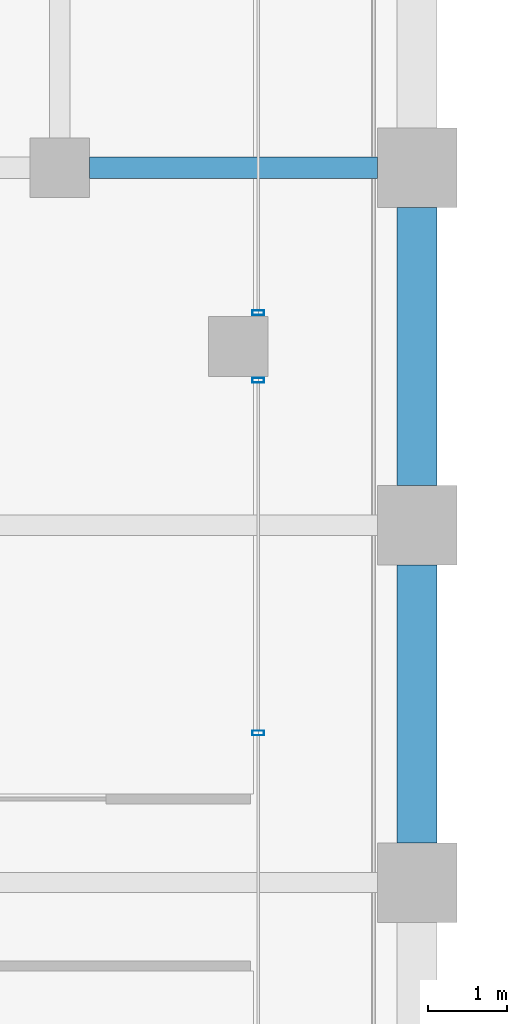
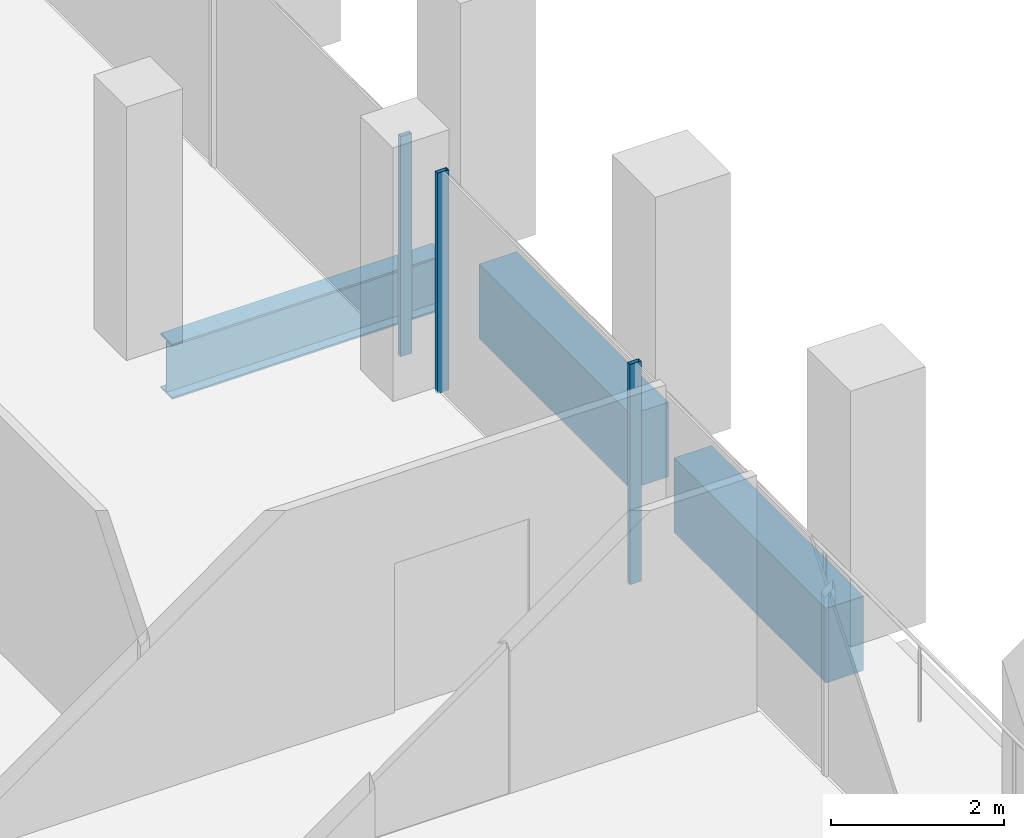
# One storey, part 19 of 45: 3 beams, 3 members, 2 elements without a shape of their own.
"""IFC4 building model written with IfcOpenShell, lengths in metres."""

from ifc_helpers import new_model, si_unit, direction, frame, origin, origin_2d, place, context, subcontext, project, spatial, rectangle, hollow_rectangle, i_section, extrude, material, material_profile, profile_set, type_object, element, aggregate, save


model = new_model("IFC4")

# Units and contexts
model_context = context("Model", 3, precision=1e-05, world=origin(), true_north=direction((0.0, 1.0)))
body_context = subcontext(model_context, "Body", "Model", "MODEL_VIEW")
ifc_project = project(units=[si_unit("LENGTHUNIT", "METRE"), si_unit("AREAUNIT", "SQUARE_METRE"), si_unit("VOLUMEUNIT", "CUBIC_METRE"), si_unit("PLANEANGLEUNIT", "RADIAN"), si_unit("MASSUNIT", "GRAM", prefix="KILO")], contexts=[model_context])

# Site, building, storey
site_placement = place(None, origin())
site = spatial("IfcSite", under=ifc_project, at=site_placement, CompositionType="ELEMENT")
building_placement = place(site_placement, origin())
building = spatial("IfcBuilding", under=site, at=building_placement, Name="Altepetl Exchange Towers", CompositionType="ELEMENT")
storey_placement = place(building_placement, frame((0.0, 0.0, 110.0)))
storey = spatial("IfcBuildingStorey", under=building, at=storey_placement, Name="L27", CompositionType="ELEMENT", Elevation=110.0)

# Beam
ifc_material_1 = material(Name="Steel S355", Category="steel")
ifc_material_profile_1 = material_profile(ifc_material_1, i_section(OverallWidth=0.26806640625, OverallDepth=0.77392578125, WebThickness=0.015380859375, FlangeThickness=0.025390625, at=origin_2d()), Name="W30X132")
ifc_profile_set_1 = profile_set([ifc_material_profile_1], Name="Steel S355")
beam_type_1 = type_object("IfcBeamType", Name="Girder W30X132", PredefinedType="BEAM", material=ifc_profile_set_1)
beam_placement = place(storey_placement, frame((67.875, 58.5, -0.537109375), z_axis=(1.0, 0.0, 0.0), x_axis=(0.0, 1.0, 0.0)))
element("IfcBeam", 1, at=beam_placement, inside=storey, type_object=beam_type_1, Name="gd:A:L27:002", PredefinedType="BEAM", context=body_context, shape_type="SweptSolid", body=[
    extrude(i_section(OverallWidth=0.26806640625, OverallDepth=0.77392578125, WebThickness=0.015380859375, FlangeThickness=0.025390625, at=origin_2d()), origin(), (0.0, 0.0, 1.0), 3.625),
])

# Curtain wall, members
ifc_material_2 = material(Name="Aluminium 6063-T6 glazing", Category="aluminium")
curtain_wall_type = type_object("IfcCurtainWallType", Name="Loggia glazing system", PredefinedType="NOTDEFINED", material=ifc_material_2)
curtain_wall_1_placement = place(storey_placement, origin())
curtain_wall_1 = element("IfcCurtainWall", 2, at=curtain_wall_1_placement, inside=storey, type_object=curtain_wall_type, Name="CW1 run", PredefinedType="NOTDEFINED")
ifc_material_3 = material(Name="Aluminium 6063-T6", Category="aluminium")
ifc_material_profile_2 = material_profile(ifc_material_3, hollow_rectangle(XDim=0.06005859375, YDim=0.14990234375, WallThickness=0.0029296875, at=origin_2d()), Name="Mullion 60x150 aluminium")
ifc_profile_set_2 = profile_set([ifc_material_profile_2], Name="Aluminium 6063-T6")
member_type = type_object("IfcMemberType", Name="Mullion 60x150 aluminium", PredefinedType="MULLION", material=ifc_profile_set_2)
member_1_placement = place(storey_placement, frame((70.0, 51.384033203125, 0.0), z_axis=(0.0, 0.0, 1.0), x_axis=(0.0, 1.0, 0.0)))
member_1 = element("IfcMember", 3, at=member_1_placement, type_object=member_type, Name="MU1 mullion", PredefinedType="MULLION", context=body_context, shape_type="SweptSolid", body=[
    extrude(hollow_rectangle(XDim=0.06005859375, YDim=0.14990234375, WallThickness=0.0029296875, at=origin_2d()), origin(), (0.0, 0.0, 1.0), 3.10009765625),
])
member_2_placement = place(storey_placement, frame((70.0, 55.824951171875, 0.0), z_axis=(0.0, 0.0, 1.0), x_axis=(0.0, 1.0, 0.0)))
member_2 = element("IfcMember", 4, at=member_2_placement, type_object=member_type, Name="MU1 mullion", PredefinedType="MULLION", context=body_context, shape_type="SweptSolid", body=[
    extrude(hollow_rectangle(XDim=0.06005859375, YDim=0.14990234375, WallThickness=0.0029296875, at=origin_2d()), origin(), (0.0, 0.0, 1.0), 3.10009765625),
])
aggregate(curtain_wall_1, [member_1, member_2])

# Curtain wall, member
curtain_wall_2_placement = place(storey_placement, origin())
curtain_wall_2 = element("IfcCurtainWall", 5, at=curtain_wall_2_placement, inside=storey, type_object=curtain_wall_type, Name="CW1 run", PredefinedType="NOTDEFINED")
member_3_placement = place(storey_placement, frame((70.0, 56.675048828125, 0.0), z_axis=(0.0, 0.0, 1.0), x_axis=(0.0, 1.0, 0.0)))
member_3 = element("IfcMember", 6, at=member_3_placement, type_object=member_type, Name="MU1 mullion", PredefinedType="MULLION", context=body_context, shape_type="SweptSolid", body=[
    extrude(hollow_rectangle(XDim=0.06005859375, YDim=0.14990234375, WallThickness=0.0029296875, at=origin_2d()), origin(), (0.0, 0.0, 1.0), 3.10009765625),
])
aggregate(curtain_wall_2, [member_3])

# Beams
ifc_material_4 = material(Name="Concrete C50/60 precast with cantera amarilla facing", Category="concrete")
ifc_material_profile_3 = material_profile(ifc_material_4, rectangle(XDim=0.5, YDim=1.050048828125, at=origin_2d()), Name="500 x 1050")
ifc_profile_set_3 = profile_set([ifc_material_profile_3], Name="Concrete C50/60 precast with cantera amarilla facing")
beam_type_2 = type_object("IfcBeamType", Name="Spandrel beam 500x1050 cantera amarilla", PredefinedType="SPANDREL", material=ifc_profile_set_3)
for number, where, z_axis, x_axis, name in (
    (7, (72.0, 50.0, -0.675048828125), (0.0, 1.0, 0.0), (-1.0, 0.0, 0.0), "sp:A:L27:016"),
    (8, (72.0, 54.5, -0.675048828125), (0.0, 1.0, 0.0), (-1.0, 0.0, 0.0), "sp:A:L27:017"),
):
    element("IfcBeam", number, at=place(storey_placement, frame(where, z_axis=z_axis, x_axis=x_axis)), inside=storey, type_object=beam_type_2, Name=name, PredefinedType="SPANDREL", context=body_context, shape_type="SweptSolid", body=[
        extrude(rectangle(XDim=0.5, YDim=1.050048828125, at=origin_2d()), origin(), (0.0, 0.0, 1.0), 3.5),
    ])

save(model, "model.ifc")
